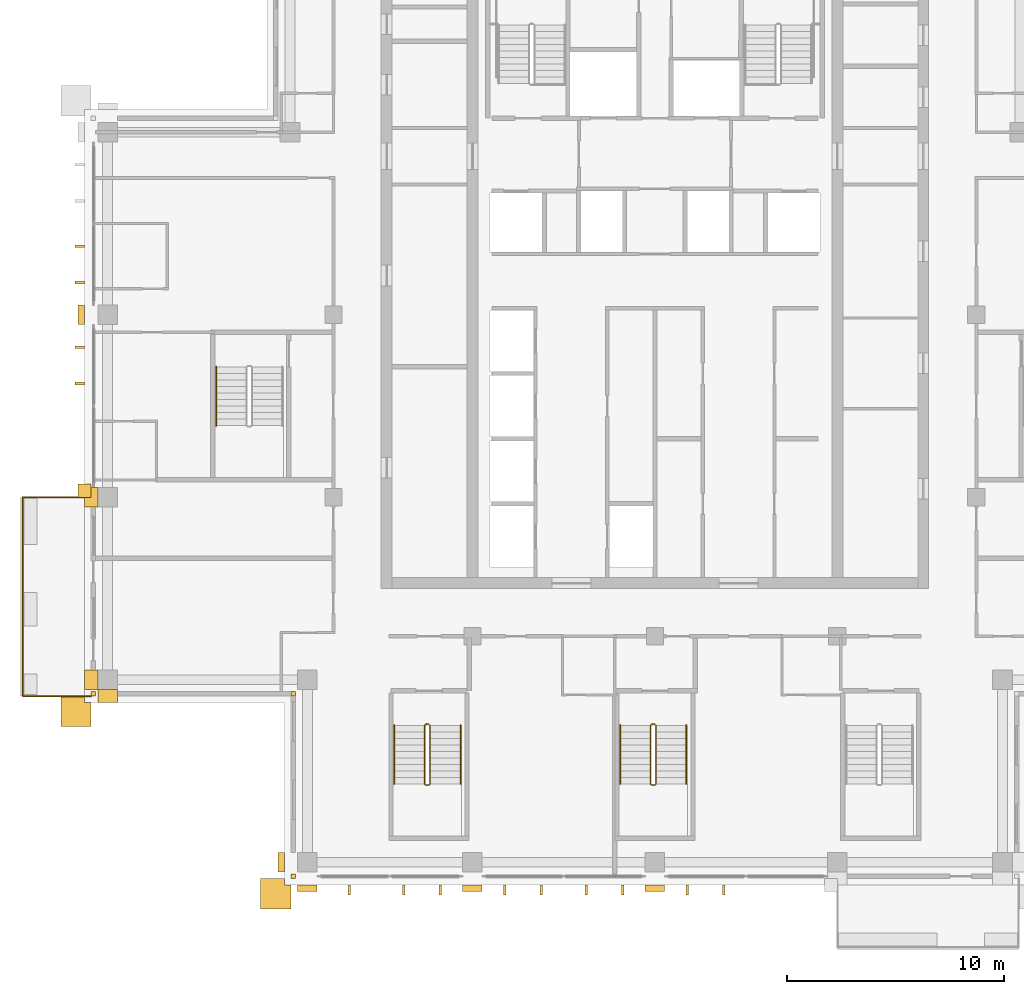
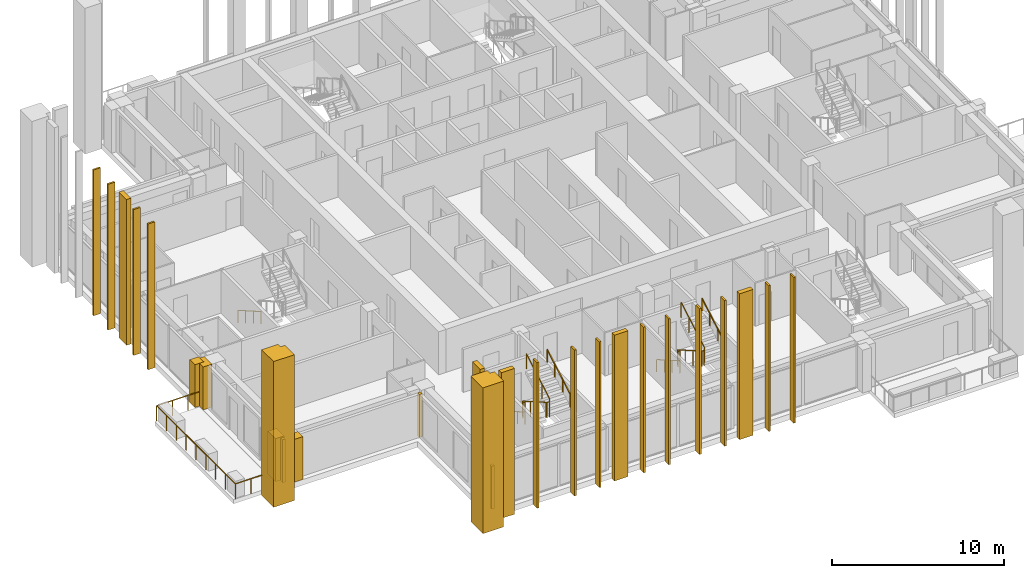
# One storey, part 17 of 20: 27 coverings, 8 railings.
"""IFC4 building model written with IfcOpenShell, lengths in metres."""

from ifc_helpers import new_model, si_unit, direction, frame, origin, origin_2d, place, context, subcontext, project, spatial, polyline, rectangle, outline, extrude, material, layer, layer_set, type_object, element, save


model = new_model("IFC4")

# Units and contexts
model_context = context("Model", 3, precision=1e-05, world=origin(), true_north=direction((0.0, 1.0)))
body_context = subcontext(model_context, "Body", "Model", "MODEL_VIEW")
ifc_project = project(units=[si_unit("LENGTHUNIT", "METRE"), si_unit("AREAUNIT", "SQUARE_METRE"), si_unit("VOLUMEUNIT", "CUBIC_METRE"), si_unit("PLANEANGLEUNIT", "RADIAN"), si_unit("MASSUNIT", "GRAM", prefix="KILO")], contexts=[model_context])

# Site, building, storey
site_placement = place(None, origin())
site = spatial("IfcSite", under=ifc_project, at=site_placement, CompositionType="ELEMENT")
building_placement = place(site_placement, origin())
building = spatial("IfcBuilding", under=site, at=building_placement, Name="Vermilion Ogive Tower", CompositionType="ELEMENT")
storey_placement = place(building_placement, frame((0.0, 0.0, 223.449951171875)))
storey = spatial("IfcBuildingStorey", under=building, at=storey_placement, Name="L58", CompositionType="ELEMENT", Elevation=223.449951171875)

# Railing
ifc_material_1 = material(Name="Stainless steel and glass", Category="steel")
railing_type_1 = type_object("IfcRailingType", Name="Balcony guard", PredefinedType="GUARDRAIL", material=ifc_material_1)
railing_1_placement = place(storey_placement, frame((-25.949951171875, -4.199951171875, -0.0400390625)))
element("IfcRailing", 1, at=railing_1_placement, inside=storey, type_object=railing_type_1, Name="Guard W03", PredefinedType="GUARDRAIL", context=body_context, shape_type="SweptSolid", body=[
    extrude(rectangle(XDim=0.048095703125, YDim=0.048095703125, at=origin_2d()), frame((0.0, 0.0, 1.076171875), z_axis=(-1.0, 0.0, 0.0), x_axis=(0.0, -1.0, 0.0)), (0.0, 0.0, 1.0), 3.16015625),
    extrude(rectangle(XDim=0.048095703125, YDim=0.048095703125, at=origin_2d()), frame((-3.16015625, 0.0, 1.076171875), z_axis=(0.0, -1.0, 0.0), x_axis=(1.0, 0.0, 0.0)), (0.0, 0.0, 1.0), 9.150146484375),
    extrude(rectangle(XDim=0.048095703125, YDim=0.048095703125, at=origin_2d()), frame((-3.16015625, -9.150146484375, 1.076171875), z_axis=(1.0, 0.0, 0.0), x_axis=(0.0, 1.0, 0.0)), (0.0, 0.0, 1.0), 3.16015625),
    extrude(rectangle(XDim=0.0419921875, YDim=0.0419921875, at=origin_2d()), origin(), (0.0, 0.0, 1.0), 1.052001953125),
    extrude(rectangle(XDim=0.0419921875, YDim=0.0419921875, at=origin_2d()), frame((-1.053466796875, 0.0, 0.0)), (0.0, 0.0, 1.0), 1.052001953125),
    extrude(rectangle(XDim=0.0419921875, YDim=0.0419921875, at=origin_2d()), frame((-2.106689453125, 0.0, 0.0)), (0.0, 0.0, 1.0), 1.052001953125),
    extrude(rectangle(XDim=0.0419921875, YDim=0.0419921875, at=origin_2d()), frame((-3.16015625, 0.0, 0.0)), (0.0, 0.0, 1.0), 1.052001953125),
    extrude(rectangle(XDim=0.0419921875, YDim=0.0419921875, at=origin_2d()), frame((-3.16015625, -1.143798828125, 0.0)), (0.0, 0.0, 1.0), 1.052001953125),
    extrude(rectangle(XDim=0.0419921875, YDim=0.0419921875, at=origin_2d()), frame((-3.16015625, -2.28759765625, 0.0)), (0.0, 0.0, 1.0), 1.052001953125),
    extrude(rectangle(XDim=0.0419921875, YDim=0.0419921875, at=origin_2d()), frame((-3.16015625, -3.431396484375, 0.0)), (0.0, 0.0, 1.0), 1.052001953125),
    extrude(rectangle(XDim=0.0419921875, YDim=0.0419921875, at=origin_2d()), frame((-3.16015625, -4.5751953125, 0.0)), (0.0, 0.0, 1.0), 1.052001953125),
    extrude(rectangle(XDim=0.0419921875, YDim=0.0419921875, at=origin_2d()), frame((-3.16015625, -5.71875, 0.0)), (0.0, 0.0, 1.0), 1.052001953125),
    extrude(rectangle(XDim=0.0419921875, YDim=0.0419921875, at=origin_2d()), frame((-3.16015625, -6.862548828125, 0.0)), (0.0, 0.0, 1.0), 1.052001953125),
    extrude(rectangle(XDim=0.0419921875, YDim=0.0419921875, at=origin_2d()), frame((-3.16015625, -8.00634765625, 0.0)), (0.0, 0.0, 1.0), 1.052001953125),
    extrude(rectangle(XDim=0.0419921875, YDim=0.0419921875, at=origin_2d()), frame((-3.16015625, -9.150146484375, 0.0)), (0.0, 0.0, 1.0), 1.052001953125),
    extrude(rectangle(XDim=0.0419921875, YDim=0.0419921875, at=origin_2d()), frame((-2.106689453125, -9.150146484375, 0.0)), (0.0, 0.0, 1.0), 1.052001953125),
    extrude(rectangle(XDim=0.0419921875, YDim=0.0419921875, at=origin_2d()), frame((-1.053466796875, -9.150146484375, 0.0)), (0.0, 0.0, 1.0), 1.052001953125),
    extrude(rectangle(XDim=0.0419921875, YDim=0.0419921875, at=origin_2d()), frame((0.0, -9.150146484375, 0.0)), (0.0, 0.0, 1.0), 1.052001953125),
])

# Coverings
ifc_material_2 = material(Name="Glazed ceramic screen")
ifc_layer = layer(ifc_material_2, 0.14990234375)
ifc_layer_set = layer_set([ifc_layer], Name="Ceramic solar screen fin")
covering_type_1 = type_object("IfcCoveringType", Name="Ceramic solar screen fin", PredefinedType="CLADDING", material=ifc_layer_set)
covering_1_placement = place(storey_placement, frame((0.0, 0.0, -0.39990234375)))
element("IfcCovering", 2, at=covering_1_placement, inside=storey, type_object=covering_type_1, Name="Solar screen blade S961", PredefinedType="CLADDING", context=body_context, shape_type="SweptSolid", body=[
    extrude(outline(polyline([(-14.135009765625, -22.5), (-14.014892578125, -22.5), (-14.014892578125, -22.050048828125), (-14.135009765625, -22.050048828125), (-14.135009765625, -22.5)])), origin(), (0.0, 0.0, 1.0), 10.349853515625),
])
covering_2_placement = place(storey_placement, frame((0.0, 0.0, -0.39990234375)))
element("IfcCovering", 3, at=covering_2_placement, inside=storey, type_object=covering_type_1, Name="Solar screen blade S971", PredefinedType="CLADDING", context=body_context, shape_type="SweptSolid", body=[
    extrude(outline(polyline([(-11.62255859375, -22.5), (-11.50244140625, -22.5), (-11.50244140625, -22.050048828125), (-11.62255859375, -22.050048828125), (-11.62255859375, -22.5)])), origin(), (0.0, 0.0, 1.0), 10.349853515625),
])
covering_3_placement = place(storey_placement, frame((0.0, 0.0, -0.39990234375)))
element("IfcCovering", 4, at=covering_3_placement, inside=storey, type_object=covering_type_1, Name="Solar screen blade S972", PredefinedType="CLADDING", context=body_context, shape_type="SweptSolid", body=[
    extrude(outline(polyline([(-9.947509765625, -22.5), (-9.827392578125, -22.5), (-9.827392578125, -22.050048828125), (-9.947509765625, -22.050048828125), (-9.947509765625, -22.5)])), origin(), (0.0, 0.0, 1.0), 10.349853515625),
])
covering_4_placement = place(storey_placement, frame((0.0, 0.0, -0.39990234375)))
element("IfcCovering", 5, at=covering_4_placement, inside=storey, type_object=covering_type_1, Name="Solar screen blade S981", PredefinedType="CLADDING", context=body_context, shape_type="SweptSolid", body=[
    extrude(outline(polyline([(-6.972412109375, -22.5), (-6.8525390625, -22.5), (-6.8525390625, -22.050048828125), (-6.972412109375, -22.050048828125), (-6.972412109375, -22.5)])), origin(), (0.0, 0.0, 1.0), 10.349853515625),
])
covering_5_placement = place(storey_placement, frame((0.0, 0.0, -0.39990234375)))
element("IfcCovering", 6, at=covering_5_placement, inside=storey, type_object=covering_type_1, Name="Solar screen blade S982", PredefinedType="CLADDING", context=body_context, shape_type="SweptSolid", body=[
    extrude(outline(polyline([(-5.297607421875, -22.5), (-5.177490234375, -22.5), (-5.177490234375, -22.050048828125), (-5.297607421875, -22.050048828125), (-5.297607421875, -22.5)])), origin(), (0.0, 0.0, 1.0), 10.349853515625),
])
covering_6_placement = place(storey_placement, frame((0.0, 0.0, -0.39990234375)))
element("IfcCovering", 7, at=covering_6_placement, inside=storey, type_object=covering_type_1, Name="Solar screen blade S991", PredefinedType="CLADDING", context=body_context, shape_type="SweptSolid", body=[
    extrude(outline(polyline([(-3.222412109375, -22.5), (-3.1025390625, -22.5), (-3.1025390625, -22.050048828125), (-3.222412109375, -22.050048828125), (-3.222412109375, -22.5)])), origin(), (0.0, 0.0, 1.0), 10.349853515625),
])
covering_7_placement = place(storey_placement, frame((0.0, 0.0, -0.39990234375)))
element("IfcCovering", 8, at=covering_7_placement, inside=storey, type_object=covering_type_1, Name="Solar screen blade S992", PredefinedType="CLADDING", context=body_context, shape_type="SweptSolid", body=[
    extrude(outline(polyline([(-1.547607421875, -22.5), (-1.427490234375, -22.5), (-1.427490234375, -22.050048828125), (-1.547607421875, -22.050048828125), (-1.547607421875, -22.5)])), origin(), (0.0, 0.0, 1.0), 10.349853515625),
])
covering_8_placement = place(storey_placement, frame((0.0, 0.0, -0.39990234375)))
element("IfcCovering", 9, at=covering_8_placement, inside=storey, type_object=covering_type_1, Name="Solar screen blade S001", PredefinedType="CLADDING", context=body_context, shape_type="SweptSolid", body=[
    extrude(outline(polyline([(1.427490234375, -22.5), (1.547607421875, -22.5), (1.547607421875, -22.050048828125), (1.427490234375, -22.050048828125), (1.427490234375, -22.5)])), origin(), (0.0, 0.0, 1.0), 10.349853515625),
])
covering_9_placement = place(storey_placement, frame((0.0, 0.0, -0.39990234375)))
element("IfcCovering", 10, at=covering_9_placement, inside=storey, type_object=covering_type_1, Name="Solar screen blade S002", PredefinedType="CLADDING", context=body_context, shape_type="SweptSolid", body=[
    extrude(outline(polyline([(3.1025390625, -22.5), (3.222412109375, -22.5), (3.222412109375, -22.050048828125), (3.1025390625, -22.050048828125), (3.1025390625, -22.5)])), origin(), (0.0, 0.0, 1.0), 10.349853515625),
])
covering_10_placement = place(storey_placement, frame((0.0, 0.0, -0.39990234375)))
element("IfcCovering", 11, at=covering_10_placement, inside=storey, type_object=covering_type_1, Name="Solar screen blade W011", PredefinedType="CLADDING", context=body_context, shape_type="SweptSolid", body=[
    extrude(outline(polyline([(-26.699951171875, 7.422607421875), (-26.699951171875, 7.302490234375), (-26.25, 7.302490234375), (-26.25, 7.422607421875), (-26.699951171875, 7.422607421875)])), origin(), (0.0, 0.0, 1.0), 10.349853515625),
])
covering_11_placement = place(storey_placement, frame((0.0, 0.0, -0.39990234375)))
element("IfcCovering", 12, at=covering_11_placement, inside=storey, type_object=covering_type_1, Name="Solar screen blade W012", PredefinedType="CLADDING", context=body_context, shape_type="SweptSolid", body=[
    extrude(outline(polyline([(-26.699951171875, 5.74755859375), (-26.699951171875, 5.62744140625), (-26.25, 5.62744140625), (-26.25, 5.74755859375), (-26.699951171875, 5.74755859375)])), origin(), (0.0, 0.0, 1.0), 10.349853515625),
])
covering_12_placement = place(storey_placement, frame((0.0, 0.0, -0.39990234375)))
element("IfcCovering", 13, at=covering_12_placement, inside=storey, type_object=covering_type_1, Name="Solar screen blade W001", PredefinedType="CLADDING", context=body_context, shape_type="SweptSolid", body=[
    extrude(outline(polyline([(-26.699951171875, 2.7724609375), (-26.699951171875, 2.652587890625), (-26.25, 2.652587890625), (-26.25, 2.7724609375), (-26.699951171875, 2.7724609375)])), origin(), (0.0, 0.0, 1.0), 10.349853515625),
])
covering_13_placement = place(storey_placement, frame((0.0, 0.0, -0.39990234375)))
element("IfcCovering", 14, at=covering_13_placement, inside=storey, type_object=covering_type_1, Name="Solar screen blade W002", PredefinedType="CLADDING", context=body_context, shape_type="SweptSolid", body=[
    extrude(outline(polyline([(-26.699951171875, 1.097412109375), (-26.699951171875, 0.9775390625), (-26.25, 0.9775390625), (-26.25, 1.097412109375), (-26.699951171875, 1.097412109375)])), origin(), (0.0, 0.0, 1.0), 10.349853515625),
])

# Railings
ifc_material_3 = material(Name="Steel S355 painted", Category="steel")
railing_type_2 = type_object("IfcRailingType", Name="Stair guard 1100", PredefinedType="GUARDRAIL", material=ifc_material_3)
railing_2_placement = place(storey_placement, frame((-10.39990234375, -14.64990234375, 0.0)))
element("IfcRailing", 15, at=railing_2_placement, inside=storey, type_object=railing_type_2, Name="L58 ST3 stair guard 4", PredefinedType="GUARDRAIL", context=body_context, shape_type="SweptSolid", body=[
    extrude(rectangle(XDim=0.048095703125, YDim=0.048095703125, at=origin_2d()), frame((0.0, 0.0, 1.076171875), z_axis=(-1.0, 0.0, 0.0), x_axis=(0.0, -1.0, 0.0)), (0.0, 0.0, 1.0), 0.150146484375),
    extrude(rectangle(XDim=0.048095703125, YDim=0.048095703125, at=origin_2d()), frame((-0.150146484375, 0.0, 1.076171875), z_axis=(-0.268277960024, -0.268277960024, 0.925231793839), x_axis=(0.707106781187, -0.707106781187, 0.0)), (0.0, 0.0, 1.0), 0.1865234375),
    extrude(rectangle(XDim=0.048095703125, YDim=0.048095703125, at=origin_2d()), frame((-0.2001953125, -0.050048828125, 1.24853515625), z_axis=(0.0, -0.866903762492, 0.498475542607), x_axis=(1.0, 0.0, 0.0)), (0.0, 0.0, 1.0), 3.114501953125),
    extrude(rectangle(XDim=0.048095703125, YDim=0.048095703125, at=origin_2d()), frame((-0.2001953125, -2.75, 2.80126953125), z_axis=(0.707106781187, -0.707106781187, 0.0), x_axis=(0.707106781187, 0.707106781187, 0.0)), (0.0, 0.0, 1.0), 0.07080078125),
    extrude(rectangle(XDim=0.048095703125, YDim=0.048095703125, at=origin_2d()), frame((-0.150146484375, -2.800048828125, 2.80126953125), z_axis=(1.0, 0.0, 0.0), x_axis=(0.0, 1.0, 0.0)), (0.0, 0.0, 1.0), 0.150146484375),
    extrude(rectangle(XDim=0.048095703125, YDim=0.048095703125, at=origin_2d()), frame((0.0, -2.800048828125, 2.80126953125), z_axis=(0.267386790225, 0.268697509785, 0.925368009307), x_axis=(-0.708833529934, 0.705375805398, 0.0)), (0.0, 0.0, 1.0), 0.186279296875),
    extrude(rectangle(XDim=0.048095703125, YDim=0.048095703125, at=origin_2d()), frame((0.0498046875, -2.75, 2.9736328125), z_axis=(0.0, 0.866903762492, 0.498475542607), x_axis=(-1.0, 0.0, 0.0)), (0.0, 0.0, 1.0), 3.114501953125),
    extrude(rectangle(XDim=0.0419921875, YDim=0.0419921875, at=origin_2d()), origin(), (0.0, 0.0, 1.0), 1.052001953125),
    extrude(rectangle(XDim=0.0419921875, YDim=0.0419921875, at=origin_2d()), frame((-0.150146484375, 0.0, 0.0)), (0.0, 0.0, 1.0), 1.052001953125),
    extrude(rectangle(XDim=0.0419921875, YDim=0.0419921875, at=origin_2d()), frame((-0.2001953125, -0.050048828125, 0.172607421875)), (0.0, 0.0, 1.0), 1.052001953125),
    extrude(rectangle(XDim=0.0419921875, YDim=0.0419921875, at=origin_2d()), frame((-0.2001953125, -0.949951171875, 0.690185546875)), (0.0, 0.0, 1.0), 1.052001953125),
    extrude(rectangle(XDim=0.0419921875, YDim=0.0419921875, at=origin_2d()), frame((-0.2001953125, -1.85009765625, 1.20751953125)), (0.0, 0.0, 1.0), 1.052001953125),
    extrude(rectangle(XDim=0.0419921875, YDim=0.0419921875, at=origin_2d()), frame((-0.2001953125, -2.75, 1.72509765625)), (0.0, 0.0, 1.0), 1.052001953125),
    extrude(rectangle(XDim=0.0419921875, YDim=0.0419921875, at=origin_2d()), frame((-0.150146484375, -2.800048828125, 1.72509765625)), (0.0, 0.0, 1.0), 1.052001953125),
    extrude(rectangle(XDim=0.0419921875, YDim=0.0419921875, at=origin_2d()), frame((0.0, -2.800048828125, 1.72509765625)), (0.0, 0.0, 1.0), 1.052001953125),
    extrude(rectangle(XDim=0.0419921875, YDim=0.0419921875, at=origin_2d()), frame((0.0498046875, -2.75, 1.8974609375)), (0.0, 0.0, 1.0), 1.052001953125),
    extrude(rectangle(XDim=0.0419921875, YDim=0.0419921875, at=origin_2d()), frame((0.0498046875, -1.85009765625, 2.4150390625)), (0.0, 0.0, 1.0), 1.052001953125),
    extrude(rectangle(XDim=0.0419921875, YDim=0.0419921875, at=origin_2d()), frame((0.0498046875, -0.949951171875, 2.932373046875)), (0.0, 0.0, 1.0), 1.052001953125),
    extrude(rectangle(XDim=0.0419921875, YDim=0.0419921875, at=origin_2d()), frame((0.0498046875, -0.050048828125, 3.449951171875)), (0.0, 0.0, 1.0), 1.052001953125),
])
railing_3_placement = place(storey_placement, frame((0.0, -14.64990234375, 0.0)))
element("IfcRailing", 16, at=railing_3_placement, inside=storey, type_object=railing_type_2, Name="L58 ST4 stair guard 4", PredefinedType="GUARDRAIL", context=body_context, shape_type="SweptSolid", body=[
    extrude(rectangle(XDim=0.048095703125, YDim=0.048095703125, at=origin_2d()), frame((0.0, 0.0, 1.076171875), z_axis=(-1.0, 0.0, 0.0), x_axis=(0.0, -1.0, 0.0)), (0.0, 0.0, 1.0), 0.14990234375),
    extrude(rectangle(XDim=0.048095703125, YDim=0.048095703125, at=origin_2d()), frame((-0.14990234375, 0.0, 1.076171875), z_axis=(-0.268277960024, -0.268277960024, 0.925231793839), x_axis=(0.707106781187, -0.707106781187, 0.0)), (0.0, 0.0, 1.0), 0.1865234375),
    extrude(rectangle(XDim=0.048095703125, YDim=0.048095703125, at=origin_2d()), frame((-0.199951171875, -0.050048828125, 1.24853515625), z_axis=(0.0, -0.866903762492, 0.498475542607), x_axis=(1.0, 0.0, 0.0)), (0.0, 0.0, 1.0), 3.114501953125),
    extrude(rectangle(XDim=0.048095703125, YDim=0.048095703125, at=origin_2d()), frame((-0.199951171875, -2.75, 2.80126953125), z_axis=(0.707106781187, -0.707106781187, 0.0), x_axis=(0.707106781187, 0.707106781187, 0.0)), (0.0, 0.0, 1.0), 0.07080078125),
    extrude(rectangle(XDim=0.048095703125, YDim=0.048095703125, at=origin_2d()), frame((-0.14990234375, -2.800048828125, 2.80126953125), z_axis=(1.0, 0.0, 0.0), x_axis=(0.0, 1.0, 0.0)), (0.0, 0.0, 1.0), 0.14990234375),
    extrude(rectangle(XDim=0.048095703125, YDim=0.048095703125, at=origin_2d()), frame((0.0, -2.800048828125, 2.80126953125), z_axis=(0.268603158521, 0.268603158521, 0.925043072762), x_axis=(-0.707106781187, 0.707106781187, 0.0)), (0.0, 0.0, 1.0), 0.186279296875),
    extrude(rectangle(XDim=0.048095703125, YDim=0.048095703125, at=origin_2d()), frame((0.050048828125, -2.75, 2.9736328125), z_axis=(0.0, 0.866903762492, 0.498475542607), x_axis=(-1.0, 0.0, 0.0)), (0.0, 0.0, 1.0), 3.114501953125),
    extrude(rectangle(XDim=0.0419921875, YDim=0.0419921875, at=origin_2d()), origin(), (0.0, 0.0, 1.0), 1.052001953125),
    extrude(rectangle(XDim=0.0419921875, YDim=0.0419921875, at=origin_2d()), frame((-0.14990234375, 0.0, 0.0)), (0.0, 0.0, 1.0), 1.052001953125),
    extrude(rectangle(XDim=0.0419921875, YDim=0.0419921875, at=origin_2d()), frame((-0.199951171875, -0.050048828125, 0.172607421875)), (0.0, 0.0, 1.0), 1.052001953125),
    extrude(rectangle(XDim=0.0419921875, YDim=0.0419921875, at=origin_2d()), frame((-0.199951171875, -0.949951171875, 0.690185546875)), (0.0, 0.0, 1.0), 1.052001953125),
    extrude(rectangle(XDim=0.0419921875, YDim=0.0419921875, at=origin_2d()), frame((-0.199951171875, -1.85009765625, 1.20751953125)), (0.0, 0.0, 1.0), 1.052001953125),
    extrude(rectangle(XDim=0.0419921875, YDim=0.0419921875, at=origin_2d()), frame((-0.199951171875, -2.75, 1.72509765625)), (0.0, 0.0, 1.0), 1.052001953125),
    extrude(rectangle(XDim=0.0419921875, YDim=0.0419921875, at=origin_2d()), frame((-0.14990234375, -2.800048828125, 1.72509765625)), (0.0, 0.0, 1.0), 1.052001953125),
    extrude(rectangle(XDim=0.0419921875, YDim=0.0419921875, at=origin_2d()), frame((0.0, -2.800048828125, 1.72509765625)), (0.0, 0.0, 1.0), 1.052001953125),
    extrude(rectangle(XDim=0.0419921875, YDim=0.0419921875, at=origin_2d()), frame((0.050048828125, -2.75, 1.8974609375)), (0.0, 0.0, 1.0), 1.052001953125),
    extrude(rectangle(XDim=0.0419921875, YDim=0.0419921875, at=origin_2d()), frame((0.050048828125, -1.85009765625, 2.4150390625)), (0.0, 0.0, 1.0), 1.052001953125),
    extrude(rectangle(XDim=0.0419921875, YDim=0.0419921875, at=origin_2d()), frame((0.050048828125, -0.949951171875, 2.932373046875)), (0.0, 0.0, 1.0), 1.052001953125),
    extrude(rectangle(XDim=0.0419921875, YDim=0.0419921875, at=origin_2d()), frame((0.050048828125, -0.050048828125, 3.449951171875)), (0.0, 0.0, 1.0), 1.052001953125),
])
ifc_material_4 = material(Name="Stainless steel", Category="steel")
railing_type_3 = type_object("IfcRailingType", Name="Stair handrail 900", PredefinedType="HANDRAIL", material=ifc_material_4)
railing_4_placement = place(storey_placement, frame((-12.0, -14.699951171875, 0.172607421875)))
element("IfcRailing", 17, at=railing_4_placement, inside=storey, type_object=railing_type_3, Name="L58 ST3 stair handrail 1", PredefinedType="HANDRAIL", context=body_context, shape_type="SweptSolid", body=[
    extrude(rectangle(XDim=0.048095703125, YDim=0.048095703125, at=origin_2d()), frame((0.0, 0.0, 0.8759765625), z_axis=(0.0, -0.866903762492, 0.498475542607), x_axis=(1.0, 0.0, 0.0)), (0.0, 0.0, 1.0), 3.114501953125),
    extrude(rectangle(XDim=0.0419921875, YDim=0.0419921875, at=origin_2d()), origin(), (0.0, 0.0, 1.0), 0.851806640625),
    extrude(rectangle(XDim=0.0419921875, YDim=0.0419921875, at=origin_2d()), frame((0.0, -0.89990234375, 0.517578125)), (0.0, 0.0, 1.0), 0.851806640625),
    extrude(rectangle(XDim=0.0419921875, YDim=0.0419921875, at=origin_2d()), frame((0.0, -1.800048828125, 1.034912109375)), (0.0, 0.0, 1.0), 0.851806640625),
    extrude(rectangle(XDim=0.0419921875, YDim=0.0419921875, at=origin_2d()), frame((0.0, -2.699951171875, 1.552490234375)), (0.0, 0.0, 1.0), 0.851806640625),
])
railing_5_placement = place(storey_placement, frame((-8.949951171875, -17.39990234375, 1.8974609375)))
element("IfcRailing", 18, at=railing_5_placement, inside=storey, type_object=railing_type_3, Name="L58 ST3 stair handrail 2", PredefinedType="HANDRAIL", context=body_context, shape_type="SweptSolid", body=[
    extrude(rectangle(XDim=0.048095703125, YDim=0.048095703125, at=origin_2d()), frame((0.0, 0.0, 0.8759765625), z_axis=(0.0, 0.866903762492, 0.498475542607), x_axis=(-1.0, 0.0, 0.0)), (0.0, 0.0, 1.0), 3.114501953125),
    extrude(rectangle(XDim=0.0419921875, YDim=0.0419921875, at=origin_2d()), origin(), (0.0, 0.0, 1.0), 0.851806640625),
    extrude(rectangle(XDim=0.0419921875, YDim=0.0419921875, at=origin_2d()), frame((0.0, 0.89990234375, 0.517578125)), (0.0, 0.0, 1.0), 0.851806640625),
    extrude(rectangle(XDim=0.0419921875, YDim=0.0419921875, at=origin_2d()), frame((0.0, 1.800048828125, 1.034912109375)), (0.0, 0.0, 1.0), 0.851806640625),
    extrude(rectangle(XDim=0.0419921875, YDim=0.0419921875, at=origin_2d()), frame((0.0, 2.699951171875, 1.552490234375)), (0.0, 0.0, 1.0), 0.851806640625),
])
railing_6_placement = place(storey_placement, frame((-1.60009765625, -14.699951171875, 0.172607421875)))
element("IfcRailing", 19, at=railing_6_placement, inside=storey, type_object=railing_type_3, Name="L58 ST4 stair handrail 1", PredefinedType="HANDRAIL", context=body_context, shape_type="SweptSolid", body=[
    extrude(rectangle(XDim=0.048095703125, YDim=0.048095703125, at=origin_2d()), frame((0.0, 0.0, 0.8759765625), z_axis=(0.0, -0.866903762492, 0.498475542607), x_axis=(1.0, 0.0, 0.0)), (0.0, 0.0, 1.0), 3.114501953125),
    extrude(rectangle(XDim=0.0419921875, YDim=0.0419921875, at=origin_2d()), origin(), (0.0, 0.0, 1.0), 0.851806640625),
    extrude(rectangle(XDim=0.0419921875, YDim=0.0419921875, at=origin_2d()), frame((0.0, -0.89990234375, 0.517578125)), (0.0, 0.0, 1.0), 0.851806640625),
    extrude(rectangle(XDim=0.0419921875, YDim=0.0419921875, at=origin_2d()), frame((0.0, -1.800048828125, 1.034912109375)), (0.0, 0.0, 1.0), 0.851806640625),
    extrude(rectangle(XDim=0.0419921875, YDim=0.0419921875, at=origin_2d()), frame((0.0, -2.699951171875, 1.552490234375)), (0.0, 0.0, 1.0), 0.851806640625),
])
railing_7_placement = place(storey_placement, frame((1.449951171875, -17.39990234375, 1.8974609375)))
element("IfcRailing", 20, at=railing_7_placement, inside=storey, type_object=railing_type_3, Name="L58 ST4 stair handrail 2", PredefinedType="HANDRAIL", context=body_context, shape_type="SweptSolid", body=[
    extrude(rectangle(XDim=0.048095703125, YDim=0.048095703125, at=origin_2d()), frame((0.0, 0.0, 0.8759765625), z_axis=(0.0, 0.866903762492, 0.498475542607), x_axis=(-1.0, 0.0, 0.0)), (0.0, 0.0, 1.0), 3.114501953125),
    extrude(rectangle(XDim=0.0419921875, YDim=0.0419921875, at=origin_2d()), origin(), (0.0, 0.0, 1.0), 0.851806640625),
    extrude(rectangle(XDim=0.0419921875, YDim=0.0419921875, at=origin_2d()), frame((0.0, 0.89990234375, 0.517578125)), (0.0, 0.0, 1.0), 0.851806640625),
    extrude(rectangle(XDim=0.0419921875, YDim=0.0419921875, at=origin_2d()), frame((0.0, 1.800048828125, 1.034912109375)), (0.0, 0.0, 1.0), 0.851806640625),
    extrude(rectangle(XDim=0.0419921875, YDim=0.0419921875, at=origin_2d()), frame((0.0, 2.699951171875, 1.552490234375)), (0.0, 0.0, 1.0), 0.851806640625),
])
railing_8_placement = place(storey_placement, frame((-20.199951171875, 1.800048828125, 0.172607421875)))
element("IfcRailing", 21, at=railing_8_placement, inside=storey, type_object=railing_type_3, Name="L58 ST9 stair handrail 1", PredefinedType="HANDRAIL", context=body_context, shape_type="SweptSolid", body=[
    extrude(rectangle(XDim=0.048095703125, YDim=0.048095703125, at=origin_2d()), frame((0.0, 0.0, 0.8759765625), z_axis=(0.0, -0.866903762492, 0.498475542607), x_axis=(1.0, 0.0, 0.0)), (0.0, 0.0, 1.0), 3.114501953125),
    extrude(rectangle(XDim=0.0419921875, YDim=0.0419921875, at=origin_2d()), origin(), (0.0, 0.0, 1.0), 0.851806640625),
    extrude(rectangle(XDim=0.0419921875, YDim=0.0419921875, at=origin_2d()), frame((0.0, -0.89990234375, 0.517578125)), (0.0, 0.0, 1.0), 0.851806640625),
    extrude(rectangle(XDim=0.0419921875, YDim=0.0419921875, at=origin_2d()), frame((0.0, -1.800048828125, 1.034912109375)), (0.0, 0.0, 1.0), 0.851806640625),
    extrude(rectangle(XDim=0.0419921875, YDim=0.0419921875, at=origin_2d()), frame((0.0, -2.699951171875, 1.552490234375)), (0.0, 0.0, 1.0), 0.851806640625),
])

# Coverings
ifc_material_5 = material(Name="Stone cladding", Category="masonry")
covering_type_2 = type_object("IfcCoveringType", Name="Stone corner buttress", PredefinedType="CLADDING", material=ifc_material_5)
covering_14_placement = place(storey_placement, origin())
element("IfcCovering", 22, at=covering_14_placement, inside=storey, type_object=covering_type_2, Name="Stone crease pier WK", PredefinedType="CLADDING", context=body_context, shape_type="SweptSolid", body=[
    extrude(outline(polyline([(-26.550048828125, -3.60009765625), (-26.550048828125, -4.199951171875), (-25.949951171875, -4.199951171875), (-25.949951171875, -3.60009765625), (-26.550048828125, -3.60009765625)])), origin(), (0.0, 0.0, 1.0), 3.050048828125),
])
covering_15_placement = place(storey_placement, frame((0.0, 0.0, -0.39990234375)))
element("IfcCovering", 23, at=covering_15_placement, inside=storey, type_object=covering_type_2, Name="Stone corner buttress S1", PredefinedType="CLADDING", context=body_context, shape_type="SweptSolid", body=[
    extrude(outline(polyline([(-17.050048828125, -21.75), (-17.050048828125, -22.050048828125), (-16.75, -22.050048828125), (-16.75, -23.14990234375), (-18.14990234375, -23.14990234375), (-18.14990234375, -21.75), (-17.050048828125, -21.75)])), origin(), (0.0, 0.0, 1.0), 10.349853515625),
])
covering_16_placement = place(storey_placement, frame((0.0, 0.0, -0.39990234375)))
element("IfcCovering", 24, at=covering_16_placement, inside=storey, type_object=covering_type_2, Name="Stone corner buttress X71", PredefinedType="CLADDING", context=body_context, shape_type="SweptSolid", body=[
    extrude(outline(polyline([(-27.35009765625, -13.35009765625), (-26.25, -13.35009765625), (-26.25, -13.64990234375), (-25.949951171875, -13.64990234375), (-25.949951171875, -14.75), (-27.35009765625, -14.75), (-27.35009765625, -13.35009765625)])), origin(), (0.0, 0.0, 1.0), 10.349853515625),
])
ifc_material_6 = material(Name="Stone cladding", Category="masonry")
covering_type_3 = type_object("IfcCoveringType", Name="Stone pier", PredefinedType="CLADDING", material=ifc_material_6)
covering_17_placement = place(storey_placement, origin())
element("IfcCovering", 25, at=covering_17_placement, inside=storey, type_object=covering_type_3, Name="Stone corner pier WE1", PredefinedType="CLADDING", context=body_context, shape_type="SweptSolid", body=[
    extrude(outline(polyline([(-25.75, -13.14990234375), (-25.75, -13.35009765625), (-25.949951171875, -13.35009765625), (-25.949951171875, -13.14990234375), (-25.75, -13.14990234375)])), origin(), (0.0, 0.0, 1.0), 3.050048828125),
])
covering_18_placement = place(storey_placement, origin())
element("IfcCovering", 26, at=covering_18_placement, inside=storey, type_object=covering_type_3, Name="Stone corner pier X7E1", PredefinedType="CLADDING", context=body_context, shape_type="SweptSolid", body=[
    extrude(outline(polyline([(-16.550048828125, -13.14990234375), (-16.550048828125, -13.35009765625), (-16.75, -13.35009765625), (-16.75, -13.14990234375), (-16.550048828125, -13.14990234375)])), origin(), (0.0, 0.0, 1.0), 3.050048828125),
])
covering_19_placement = place(storey_placement, origin())
element("IfcCovering", 27, at=covering_19_placement, inside=storey, type_object=covering_type_3, Name="Stone corner pier X8E1", PredefinedType="CLADDING", context=body_context, shape_type="SweptSolid", body=[
    extrude(outline(polyline([(-16.550048828125, -21.550048828125), (-16.550048828125, -21.75), (-16.75, -21.75), (-16.75, -21.550048828125), (-16.550048828125, -21.550048828125)])), origin(), (0.0, 0.0, 1.0), 3.050048828125),
])
covering_20_placement = place(storey_placement, frame((0.0, 0.0, -0.39990234375)))
element("IfcCovering", 28, at=covering_20_placement, inside=storey, type_object=covering_type_3, Name="Stone pier P+0000-210", PredefinedType="CLADDING", context=body_context, shape_type="SweptSolid", body=[
    extrude(outline(polyline([(0.449951171875, -22.35009765625), (-0.449951171875, -22.35009765625), (-0.449951171875, -22.050048828125), (0.449951171875, -22.050048828125), (0.449951171875, -22.35009765625)])), origin(), (0.0, 0.0, 1.0), 10.349853515625),
])
covering_21_placement = place(storey_placement, frame((0.0, 0.0, -0.39990234375)))
element("IfcCovering", 29, at=covering_21_placement, inside=storey, type_object=covering_type_3, Name="Stone pier P-0084-210", PredefinedType="CLADDING", context=body_context, shape_type="SweptSolid", body=[
    extrude(outline(polyline([(-7.949951171875, -22.35009765625), (-8.85009765625, -22.35009765625), (-8.85009765625, -22.050048828125), (-7.949951171875, -22.050048828125), (-7.949951171875, -22.35009765625)])), origin(), (0.0, 0.0, 1.0), 10.349853515625),
])
covering_22_placement = place(storey_placement, frame((0.0, 0.0, -0.39990234375)))
element("IfcCovering", 30, at=covering_22_placement, inside=storey, type_object=covering_type_3, Name="Stone pier P-0160-210S", PredefinedType="CLADDING", context=body_context, shape_type="SweptSolid", body=[
    extrude(outline(polyline([(-15.550048828125, -22.35009765625), (-16.449951171875, -22.35009765625), (-16.449951171875, -22.050048828125), (-15.550048828125, -22.050048828125), (-15.550048828125, -22.35009765625)])), origin(), (0.0, 0.0, 1.0), 10.349853515625),
])
covering_23_placement = place(storey_placement, frame((0.0, 0.0, -0.39990234375)))
element("IfcCovering", 31, at=covering_23_placement, inside=storey, type_object=covering_type_3, Name="Stone pier P-0160-210X8", PredefinedType="CLADDING", context=body_context, shape_type="SweptSolid", body=[
    extrude(outline(polyline([(-17.35009765625, -20.550048828125), (-17.050048828125, -20.550048828125), (-17.050048828125, -21.449951171875), (-17.35009765625, -21.449951171875), (-17.35009765625, -20.550048828125)])), origin(), (0.0, 0.0, 1.0), 10.349853515625),
])
covering_24_placement = place(storey_placement, frame((0.0, 0.0, -0.39990234375)))
element("IfcCovering", 32, at=covering_24_placement, inside=storey, type_object=covering_type_3, Name="Stone pier P-0252+042", PredefinedType="CLADDING", context=body_context, shape_type="SweptSolid", body=[
    extrude(outline(polyline([(-26.550048828125, 3.75), (-26.550048828125, 4.64990234375), (-26.25, 4.64990234375), (-26.25, 3.75), (-26.550048828125, 3.75)])), origin(), (0.0, 0.0, 1.0), 10.349853515625),
])
covering_25_placement = place(storey_placement, origin())
element("IfcCovering", 33, at=covering_25_placement, inside=storey, type_object=covering_type_3, Name="Stone pier P-0252-042", PredefinedType="CLADDING", context=body_context, shape_type="SweptSolid", body=[
    extrude(outline(polyline([(-26.25, -4.64990234375), (-26.25, -4.199951171875), (-25.949951171875, -4.199951171875), (-25.949951171875, -3.75), (-25.64990234375, -3.75), (-25.64990234375, -4.64990234375), (-26.25, -4.64990234375)])), origin(), (0.0, 0.0, 1.0), 3.050048828125),
])
covering_26_placement = place(storey_placement, origin())
element("IfcCovering", 34, at=covering_26_placement, inside=storey, type_object=covering_type_3, Name="Stone pier P-0252-126W", PredefinedType="CLADDING", context=body_context, shape_type="SweptSolid", body=[
    extrude(outline(polyline([(-26.25, -13.050048828125), (-26.25, -12.14990234375), (-25.64990234375, -12.14990234375), (-25.64990234375, -13.050048828125), (-26.25, -13.050048828125)])), origin(), (0.0, 0.0, 1.0), 3.050048828125),
])
covering_27_placement = place(storey_placement, origin())
element("IfcCovering", 35, at=covering_27_placement, inside=storey, type_object=covering_type_3, Name="Stone pier P-0252-126X7", PredefinedType="CLADDING", context=body_context, shape_type="SweptSolid", body=[
    extrude(outline(polyline([(-25.64990234375, -13.64990234375), (-25.64990234375, -13.050048828125), (-24.75, -13.050048828125), (-24.75, -13.64990234375), (-25.64990234375, -13.64990234375)])), origin(), (0.0, 0.0, 1.0), 3.050048828125),
])

save(model, "model.ifc")
